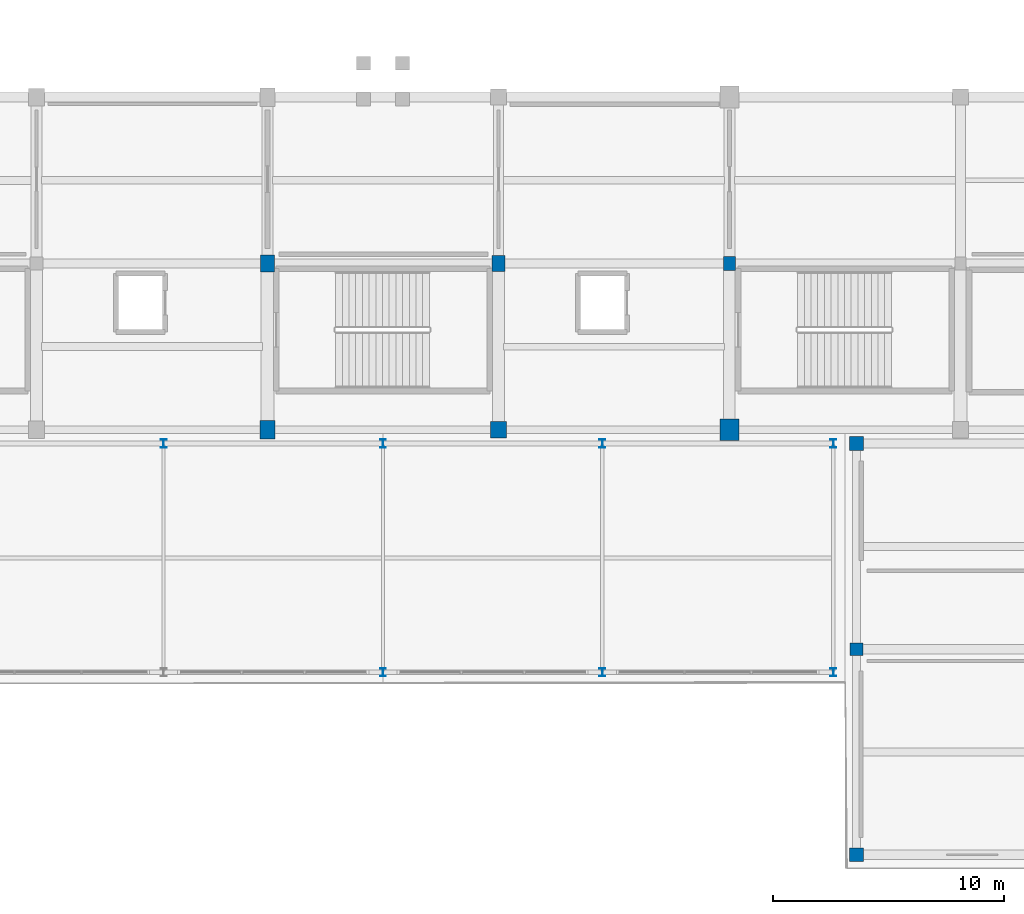
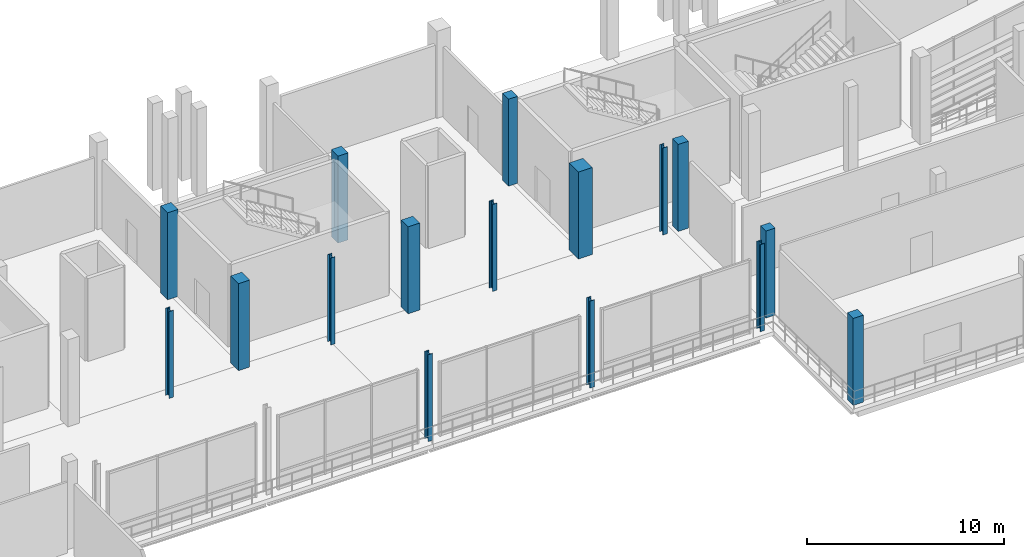
# One storey, part 3 of 111: 16 columns.
"""IFC4 building model written with IfcOpenShell, lengths in metres."""

from ifc_helpers import new_model, si_unit, direction, frame, origin, origin_2d, place, context, subcontext, project, spatial, rectangle, i_section, extrude, material, material_profile, profile_set, type_object, element, save


model = new_model("IFC4")

# Units and contexts
model_context = context("Model", 3, precision=1e-05, world=origin(), true_north=direction((0.0, 1.0)))
body_context = subcontext(model_context, "Body", "Model", "MODEL_VIEW")
ifc_project = project(units=[si_unit("LENGTHUNIT", "METRE"), si_unit("AREAUNIT", "SQUARE_METRE"), si_unit("VOLUMEUNIT", "CUBIC_METRE"), si_unit("PLANEANGLEUNIT", "RADIAN"), si_unit("MASSUNIT", "GRAM", prefix="KILO")], contexts=[model_context])

# Site, building, storey
site_placement = place(None, origin())
site = spatial("IfcSite", under=ifc_project, at=site_placement, CompositionType="ELEMENT")
building_placement = place(site_placement, origin())
building = spatial("IfcBuilding", under=site, at=building_placement, Name="Candeia Ridge Stadium", CompositionType="ELEMENT")
storey_placement = place(building_placement, frame((0.0, 0.0, 16.199951171875)))
storey = spatial("IfcBuildingStorey", under=building, at=storey_placement, Name="L03", CompositionType="ELEMENT", Elevation=16.199951171875)

# Columns
ifc_material_1 = material(Name="Steel ASTM A572 Grade 50", Category="steel")
ifc_material_profile_1 = material_profile(ifc_material_1, i_section(OverallWidth=0.257080078125, OverallDepth=0.363037109375, WebThickness=0.012939453125, FlangeThickness=0.021728515625, FilletRadius=0.014892578125, at=origin_2d()), Name="W360x122", Category="steel")
ifc_profile_set_1 = profile_set([ifc_material_profile_1], Name="Steel ASTM A572 Grade 50")
column_type_1 = type_object("IfcColumnType", Name="Gate Steel Column W360x122", PredefinedType="COLUMN", material=ifc_profile_set_1)
for number, where, z_axis, x_axis, name in (
    (1, (96.5, 18.39990234375, 0.0), (0.0, 0.0, 1.0), (1.0, 0.0, 0.0), "Structural column SG-01-01 L03"),
    (2, (106.0, 8.5, 0.0), (0.0, 0.0, 1.0), (1.0, 0.0, 0.0), "Structural column SG-02-00 L03"),
    (3, (106.0, 18.39990234375, 0.0), (0.0, 0.0, 1.0), (1.0, 0.0, 0.0), "Structural column SG-02-01 L03"),
    (4, (115.5, 8.5, 0.0), (0.0, 0.0, 1.0), (1.0, 0.0, 0.0), "Structural column SG-03-00 L03"),
    (5, (115.5, 18.39990234375, 0.0), (0.0, 0.0, 1.0), (1.0, 0.0, 0.0), "Structural column SG-03-01 L03"),
    (6, (125.5, 8.5, 0.0), (0.0, 0.0, 1.0), (1.0, 0.0, 0.0), "Structural column SG-04-00 L03"),
    (7, (125.5, 18.39990234375, 0.0), (0.0, 0.0, 1.0), (1.0, 0.0, 0.0), "Structural column SG-04-01 L03"),
):
    element("IfcColumn", number, at=place(storey_placement, frame(where, z_axis=z_axis, x_axis=x_axis)), inside=storey, type_object=column_type_1, Name=name, PredefinedType="COLUMN", context=body_context, shape_type="SweptSolid", body=[
        extrude(i_section(OverallWidth=0.257080078125, OverallDepth=0.363037109375, WebThickness=0.012939453125, FlangeThickness=0.021728515625, FilletRadius=0.014892578125, at=origin_2d()), origin(), (0.0, 0.0, 1.0), 5.400146484375),
    ])
ifc_material_2 = material(Name="Concrete C40/50", Category="concrete")
ifc_material_profile_2 = material_profile(ifc_material_2, rectangle(XDim=0.52001953125, YDim=0.6201171875, at=origin_2d()), Name="RC520x620", Category="concrete")
ifc_profile_set_2 = profile_set([ifc_material_profile_2], Name="Concrete C40/50")
column_type_2 = type_object("IfcColumnType", Name="Graduated Frame Column RC520x620", PredefinedType="COLUMN", material=ifc_profile_set_2)
column_1_placement = place(storey_placement, frame((121.0, 26.199951171875, 0.0), z_axis=(0.0, 0.0, 1.0), x_axis=(1.0, 0.0, 0.0)))
element("IfcColumn", 8, at=column_1_placement, inside=storey, type_object=column_type_2, Name="Structural column BC-M2-23 L03", PredefinedType="COLUMN", context=body_context, shape_type="SweptSolid", body=[
    extrude(rectangle(XDim=0.52001953125, YDim=0.6201171875, at=origin_2d()), origin(), (0.0, 0.0, 1.0), 5.400146484375),
])
ifc_material_profile_3 = material_profile(ifc_material_2, rectangle(XDim=0.580078125, YDim=0.679931640625, at=origin_2d()), Name="RC580x680", Category="concrete")
ifc_profile_set_3 = profile_set([ifc_material_profile_3], Name="Concrete C40/50")
column_type_3 = type_object("IfcColumnType", Name="Graduated Frame Column RC580x680", PredefinedType="COLUMN", material=ifc_profile_set_3)
column_2_placement = place(storey_placement, frame((111.0, 26.199951171875, 0.0), z_axis=(0.0, 0.0, 1.0), x_axis=(1.0, 0.0, 0.0)))
element("IfcColumn", 9, at=column_2_placement, inside=storey, type_object=column_type_3, Name="Structural column BC-M2-22 L03", PredefinedType="COLUMN", context=body_context, shape_type="SweptSolid", body=[
    extrude(rectangle(XDim=0.580078125, YDim=0.679931640625, at=origin_2d()), origin(), (0.0, 0.0, 1.0), 5.400146484375),
])
ifc_material_profile_4 = material_profile(ifc_material_2, rectangle(XDim=0.6201171875, YDim=0.719970703125, at=origin_2d()), Name="RC620x720", Category="concrete")
ifc_profile_set_4 = profile_set([ifc_material_profile_4], Name="Concrete C40/50")
column_type_4 = type_object("IfcColumnType", Name="Graduated Frame Column RC620x720", PredefinedType="COLUMN", material=ifc_profile_set_4)
column_3_placement = place(storey_placement, frame((101.0, 26.199951171875, 0.0), z_axis=(0.0, 0.0, 1.0), x_axis=(1.0, 0.0, 0.0)))
element("IfcColumn", 10, at=column_3_placement, inside=storey, type_object=column_type_4, Name="Structural column BC-M2-21 L03", PredefinedType="COLUMN", context=body_context, shape_type="SweptSolid", body=[
    extrude(rectangle(XDim=0.6201171875, YDim=0.719970703125, at=origin_2d()), origin(), (0.0, 0.0, 1.0), 5.400146484375),
])
ifc_material_3 = material(Name="Concrete C45/55", Category="concrete")
ifc_material_profile_5 = material_profile(ifc_material_3, rectangle(XDim=0.820068359375, YDim=0.949951171875, at=origin_2d()), Name="RC820x950", Category="concrete")
ifc_profile_set_5 = profile_set([ifc_material_profile_5], Name="Concrete C45/55")
column_type_5 = type_object("IfcColumnType", Name="Graduated Frame Column RC820x950", PredefinedType="COLUMN", material=ifc_profile_set_5)
column_4_placement = place(storey_placement, frame((121.0, 19.0, 0.0), z_axis=(0.0, 0.0, 1.0), x_axis=(1.0, 0.0, 0.0)))
element("IfcColumn", 11, at=column_4_placement, inside=storey, type_object=column_type_5, Name="Structural column BC-OU-23 L03", PredefinedType="COLUMN", context=body_context, shape_type="SweptSolid", body=[
    extrude(rectangle(XDim=0.820068359375, YDim=0.949951171875, at=origin_2d()), origin(), (0.0, 0.0, 1.0), 5.400146484375),
])
ifc_material_profile_6 = material_profile(ifc_material_2, rectangle(XDim=0.550048828125, YDim=0.550048828125, at=origin_2d()), Name="RC550x550", Category="concrete")
ifc_profile_set_6 = profile_set([ifc_material_profile_6], Name="Concrete C40/50")
column_type_6 = type_object("IfcColumnType", Name="Reinforced Concrete Column RC550x550", PredefinedType="COLUMN", material=ifc_profile_set_6)
column_5_placement = place(storey_placement, frame((126.5, 9.5, 0.0), z_axis=(0.0, 0.0, 1.0), x_axis=(1.0, 0.0, 0.0)))
element("IfcColumn", 12, at=column_5_placement, inside=storey, type_object=column_type_6, Name="Structural column SWE-00-01 L03", PredefinedType="COLUMN", context=body_context, shape_type="SweptSolid", body=[
    extrude(rectangle(XDim=0.550048828125, YDim=0.550048828125, at=origin_2d()), origin(), (0.0, 0.0, 1.0), 5.400146484375),
])
ifc_material_profile_7 = material_profile(ifc_material_2, rectangle(XDim=0.64990234375, YDim=0.800048828125, at=origin_2d()), Name="RC650x800", Category="concrete")
ifc_profile_set_7 = profile_set([ifc_material_profile_7], Name="Concrete C40/50")
column_type_7 = type_object("IfcColumnType", Name="Reinforced Concrete Column RC650x800", PredefinedType="COLUMN", material=ifc_profile_set_7)
column_6_placement = place(storey_placement, frame((101.0, 19.0, 0.0), z_axis=(0.0, 0.0, 1.0), x_axis=(1.0, 0.0, 0.0)))
element("IfcColumn", 13, at=column_6_placement, inside=storey, type_object=column_type_7, Name="Structural column BC-OU-21 L03", PredefinedType="COLUMN", context=body_context, shape_type="SweptSolid", body=[
    extrude(rectangle(XDim=0.64990234375, YDim=0.800048828125, at=origin_2d()), origin(), (0.0, 0.0, 1.0), 5.400146484375),
])
ifc_material_profile_8 = material_profile(ifc_material_2, rectangle(XDim=0.60009765625, YDim=0.60009765625, at=origin_2d()), Name="RC600x600", Category="concrete")
ifc_profile_set_8 = profile_set([ifc_material_profile_8], Name="Concrete C40/50")
column_type_8 = type_object("IfcColumnType", Name="Wing Column RC600x600", PredefinedType="COLUMN", material=ifc_profile_set_8)
for number, where, z_axis, x_axis, name in (
    (14, (126.5, 0.60009765625, 0.0), (0.0, 0.0, 1.0), (1.0, 0.0, 0.0), "Structural column SWE-00-00 L03"),
    (15, (126.5, 18.39990234375, 0.0), (0.0, 0.0, 1.0), (1.0, 0.0, 0.0), "Structural column SWE-00-02 L03"),
):
    element("IfcColumn", number, at=place(storey_placement, frame(where, z_axis=z_axis, x_axis=x_axis)), inside=storey, type_object=column_type_8, Name=name, PredefinedType="COLUMN", context=body_context, shape_type="SweptSolid", body=[
        extrude(rectangle(XDim=0.60009765625, YDim=0.60009765625, at=origin_2d()), origin(), (0.0, 0.0, 1.0), 5.400146484375),
    ])
ifc_material_profile_9 = material_profile(ifc_material_2, rectangle(XDim=0.699951171875, YDim=0.699951171875, at=origin_2d()), Name="RC700x700", Category="concrete")
ifc_profile_set_9 = profile_set([ifc_material_profile_9], Name="Concrete C40/50")
column_type_9 = type_object("IfcColumnType", Name="Wing Column RC700x700", PredefinedType="COLUMN", material=ifc_profile_set_9)
column_7_placement = place(storey_placement, frame((111.0, 19.0, 0.0), z_axis=(0.0, 0.0, 1.0), x_axis=(1.0, 0.0, 0.0)))
element("IfcColumn", 16, at=column_7_placement, inside=storey, type_object=column_type_9, Name="Structural column BC-OU-22 L03", PredefinedType="COLUMN", context=body_context, shape_type="SweptSolid", body=[
    extrude(rectangle(XDim=0.699951171875, YDim=0.699951171875, at=origin_2d()), origin(), (0.0, 0.0, 1.0), 5.400146484375),
])

save(model, "model.ifc")
